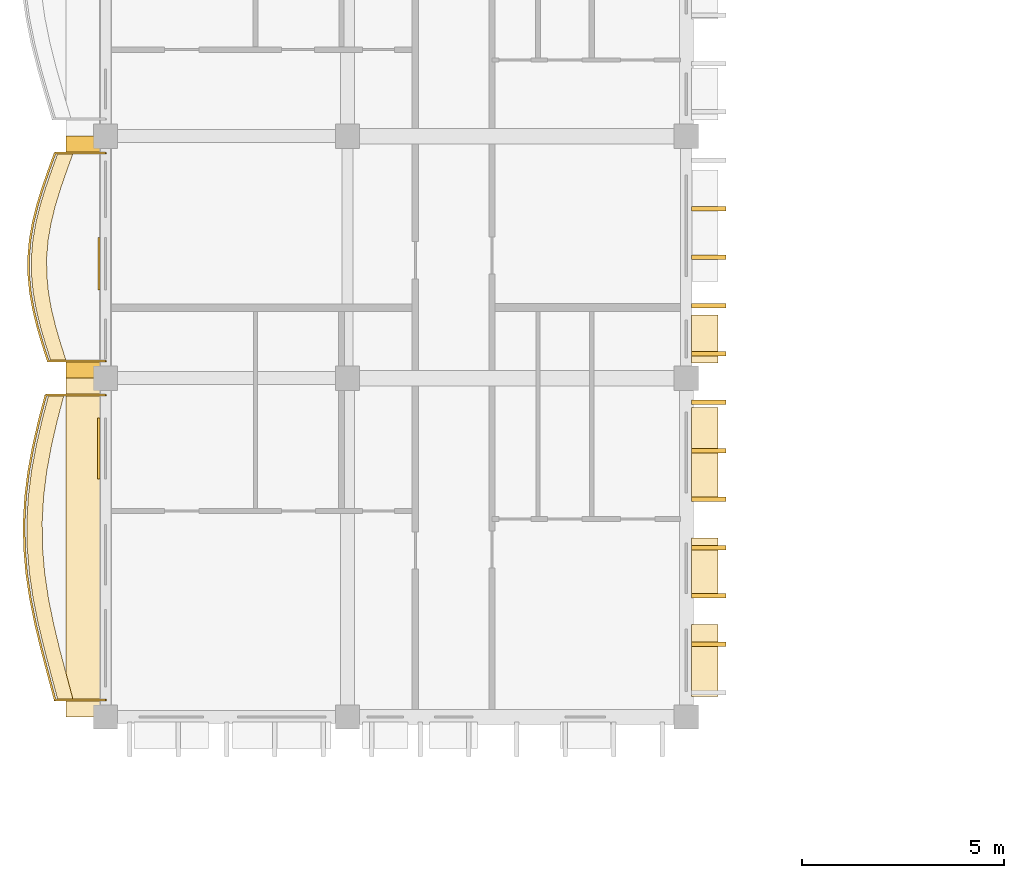
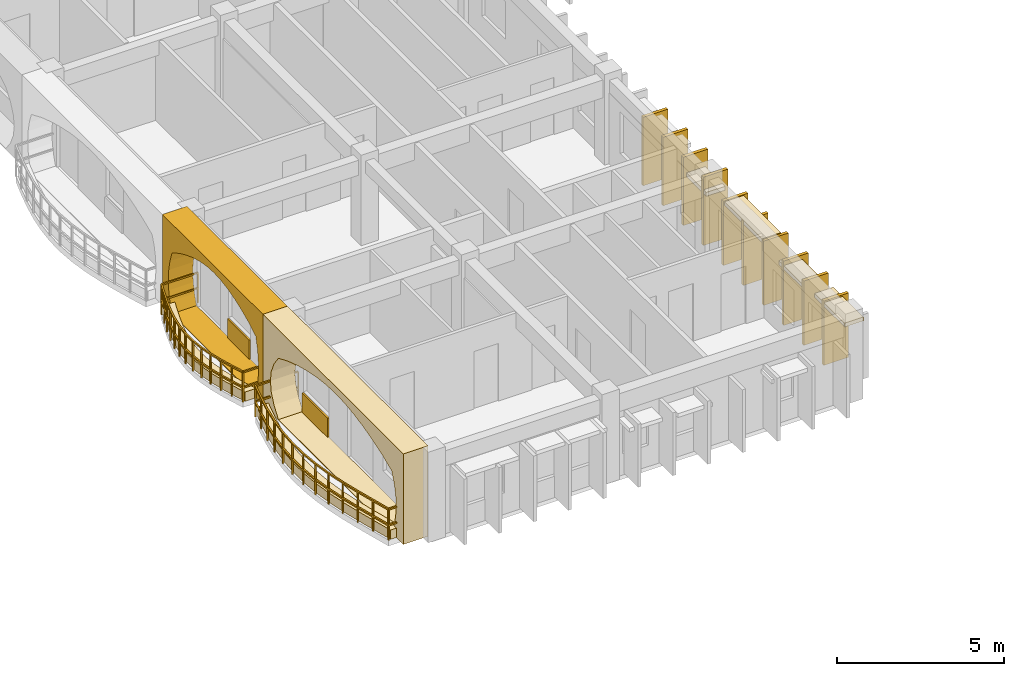
# One storey, part 41 of 59: 20 coverings, 2 railings.
"""IFC4 building model written with IfcOpenShell, lengths in metres."""

from ifc_helpers import new_model, si_unit, direction, frame, origin, origin_2d, place, context, subcontext, project, spatial, polyline, rectangle, outline, extrude, material, layer, layer_set, type_object, element, save


model = new_model("IFC4")

# Units and contexts
model_context = context("Model", 3, precision=1e-05, world=origin(), true_north=direction((0.0, 1.0)))
body_context = subcontext(model_context, "Body", "Model", "MODEL_VIEW")
ifc_project = project(units=[si_unit("LENGTHUNIT", "METRE"), si_unit("AREAUNIT", "SQUARE_METRE"), si_unit("VOLUMEUNIT", "CUBIC_METRE"), si_unit("PLANEANGLEUNIT", "RADIAN"), si_unit("MASSUNIT", "GRAM", prefix="KILO"), si_unit("THERMODYNAMICTEMPERATUREUNIT", "KELVIN")], contexts=[model_context])

# Site, building, storey
site_placement = place(None, origin())
site = spatial("IfcSite", under=ifc_project, at=site_placement, CompositionType="ELEMENT")
building_placement = place(site_placement, origin())
building = spatial("IfcBuilding", under=site, at=building_placement, Name="Thalorik Housing Commons", CompositionType="ELEMENT")
storey_placement = place(building_placement, frame((0.0, 0.0, 27.89990234375)))
storey = spatial("IfcBuildingStorey", under=building, at=storey_placement, Name="L08", CompositionType="ELEMENT", Elevation=27.89990234375)

# Coverings
ifc_material_1 = material(Name="Cobalt blue glazed ceramic facade tile panel", Category="masonry")
ifc_layer_1 = layer(ifc_material_1, 0.06005859375, Name="Cobalt blue glazed ceramic facade tile panel", Category="masonry")
ifc_layer_set_1 = layer_set([ifc_layer_1], Name="Cobalt blue glazed ceramic facade tile panel")
covering_type_1 = type_object("IfcCoveringType", Name="ARC-CLD-BLU-60", PredefinedType="CLADDING", material=ifc_layer_set_1)
covering_1_placement = place(storey_placement, frame((8.235107421875, 93.0576171875, 0.05029296875), z_axis=(0.0, 0.0, 1.0), x_axis=(0.0, -1.0, 0.0)))
element("IfcCovering", 1, at=covering_1_placement, inside=storey, type_object=covering_type_1, Name="L08 De Stijl Recessed Window Spandrel 872", PredefinedType="CLADDING", context=body_context, shape_type="SweptSolid", body=[
    extrude(rectangle(XDim=1.52001953125, YDim=0.06005859375, at=origin_2d()), origin(), (0.0, 0.0, 1.0), 0.699951171875),
])
ifc_material_2 = material(Name="Precast concrete C40/50", Category="concrete")
ifc_layer_2 = layer(ifc_material_2, 0.85009765625, Name="Precast concrete C40/50", Category="concrete")
ifc_layer_set_2 = layer_set([ifc_layer_2], Name="Precast concrete C40/50")
covering_type_2 = type_object("IfcCoveringType", Name="ARC-CLD-CUSH-850", PredefinedType="CLADDING", material=ifc_layer_set_2)
covering_2_placement = place(storey_placement, frame((7.844970703125, 97.800048828125, 0.0), z_axis=(0.0, 0.0, 1.0), x_axis=(0.0, -1.0, 0.0)))
element("IfcCovering", 2, at=covering_2_placement, inside=storey, type_object=covering_type_2, Name="L08 White Precast Curved Cushion Bay Frame 869", PredefinedType="CLADDING", context=body_context, shape_type="SweptSolid", body=[
    extrude(outline(polyline([(-3.0, 0.0), (3.0, 0.0), (3.0, 3.300048828125), (-3.0, 3.300048828125), (-3.0, 0.0)]), holes=[polyline([(2.580078125, 0.02490234375), (2.668701171875, 0.394287109375), (2.721923828125, 0.76318359375), (2.739501953125, 1.132568359375), (2.721923828125, 1.501708984375), (2.668701171875, 1.870849609375), (2.580078125, 2.239990234375), (2.16259765625, 2.4833984375), (1.7451171875, 2.6748046875), (1.327392578125, 2.82958984375), (0.909912109375, 2.94482421875), (0.492431640625, 3.01611328125), (0.074951171875, 3.0400390625), (-0.342529296875, 3.01611328125), (-0.760009765625, 2.94482421875), (-1.177490234375, 2.82958984375), (-1.594970703125, 2.6748046875), (-2.012451171875, 2.4833984375), (-2.429931640625, 2.239990234375), (-2.55029296875, 1.870849609375), (-2.62255859375, 1.501708984375), (-2.646484375, 1.132568359375), (-2.62255859375, 0.76318359375), (-2.55029296875, 0.394287109375), (-2.429931640625, 0.02490234375), (2.580078125, 0.02490234375)])]), frame((0.0, 0.425048828125, 0.0), z_axis=(0.0, -1.0, 0.0), x_axis=(1.0, 0.0, 0.0)), (0.0, 0.0, 1.0), 0.85009765625),
])
covering_3_placement = place(storey_placement, frame((7.844970703125, 90.60009765625, 0.0), z_axis=(0.0, 0.0, 1.0), x_axis=(0.0, -1.0, 0.0)))
element("IfcCovering", 3, at=covering_3_placement, inside=storey, type_object=covering_type_2, Name="L08 White Precast Curved Cushion Bay Frame 871", PredefinedType="CLADDING", context=body_context, shape_type="SweptSolid", body=[
    extrude(outline(polyline([(-4.199951171875, 0.0), (4.199951171875, 0.0), (4.199951171875, 3.300048828125), (-4.199951171875, 3.300048828125), (-4.199951171875, 0.0)]), holes=[polyline([(3.50244140625, 0.02490234375), (3.64990234375, 0.3974609375), (3.738037109375, 0.77001953125), (3.767578125, 1.142578125), (3.738037109375, 1.514892578125), (3.64990234375, 1.887451171875), (3.50244140625, 2.260009765625), (2.938232421875, 2.497314453125), (2.374267578125, 2.683837890625), (1.81005859375, 2.8349609375), (1.245849609375, 2.947265625), (0.681640625, 3.0166015625), (0.117431640625, 3.0400390625), (-0.44677734375, 3.0166015625), (-1.0107421875, 2.947265625), (-1.574951171875, 2.8349609375), (-2.13916015625, 2.683837890625), (-2.703369140625, 2.497314453125), (-3.267578125, 2.260009765625), (-3.53564453125, 1.887451171875), (-3.6962890625, 1.514892578125), (-3.75, 1.142578125), (-3.6962890625, 0.77001953125), (-3.53564453125, 0.3974609375), (-3.267578125, 0.02490234375), (3.50244140625, 0.02490234375)])]), frame((0.0, 0.425048828125, 0.0), z_axis=(0.0, -1.0, 0.0), x_axis=(1.0, 0.0, 0.0)), (0.0, 0.0, 1.0), 0.85009765625),
])
ifc_layer_3 = layer(ifc_material_2, 0.85009765625, Name="Precast concrete C40/50", Category="concrete")
ifc_layer_set_3 = layer_set([ifc_layer_3], Name="Precast concrete C40/50")
covering_type_3 = type_object("IfcCoveringType", Name="ARC-CLD-FIN-850", PredefinedType="CLADDING", material=ifc_layer_set_3)
for number, where, z_axis, x_axis, name in (
    (4, (23.35498046875, 88.199951171875, 0.0400390625), (0.0, 0.0, 1.0), (0.0, 1.0, 0.0), "L08 Courtyard Precast Vertical Brise-Soleil Fin 891"),
    (5, (23.35498046875, 89.39990234375, 0.0400390625), (0.0, 0.0, 1.0), (0.0, 1.0, 0.0), "L08 Courtyard Precast Vertical Brise-Soleil Fin 892"),
    (6, (23.35498046875, 90.60009765625, 0.0400390625), (0.0, 0.0, 1.0), (0.0, 1.0, 0.0), "L08 Courtyard Precast Vertical Brise-Soleil Fin 893"),
    (7, (23.35498046875, 91.800048828125, 0.0400390625), (0.0, 0.0, 1.0), (0.0, 1.0, 0.0), "L08 Courtyard Precast Vertical Brise-Soleil Fin 894"),
    (8, (23.35498046875, 93.0, 0.0400390625), (0.0, 0.0, 1.0), (0.0, 1.0, 0.0), "L08 Courtyard Precast Vertical Brise-Soleil Fin 895"),
    (9, (23.35498046875, 94.199951171875, 0.0400390625), (0.0, 0.0, 1.0), (0.0, 1.0, 0.0), "L08 Courtyard Precast Vertical Brise-Soleil Fin 896"),
):
    element("IfcCovering", number, at=place(storey_placement, frame(where, z_axis=z_axis, x_axis=x_axis)), inside=storey, type_object=covering_type_3, Name=name, PredefinedType="CLADDING", context=body_context, shape_type="SweptSolid", body=[
        extrude(rectangle(XDim=0.110107421875, YDim=0.85009765625, at=origin_2d()), origin(), (0.0, 0.0, 1.0), 2.344970703125),
    ])
for number, where, z_axis, x_axis, name in (
    (10, (23.35498046875, 95.39990234375, 0.0400390625), (0.0, 0.0, 1.0), (0.0, 1.0, 0.0), "L08 Courtyard Precast Vertical Brise-Soleil Fin 900"),
    (11, (23.35498046875, 96.60009765625, 0.0400390625), (0.0, 0.0, 1.0), (0.0, 1.0, 0.0), "L08 Courtyard Precast Vertical Brise-Soleil Fin 901"),
    (12, (23.35498046875, 97.800048828125, 0.0400390625), (0.0, 0.0, 1.0), (0.0, 1.0, 0.0), "L08 Courtyard Precast Vertical Brise-Soleil Fin 902"),
    (13, (23.35498046875, 99.0, 0.0400390625), (0.0, 0.0, 1.0), (0.0, 1.0, 0.0), "L08 Courtyard Precast Vertical Brise-Soleil Fin 903"),
):
    element("IfcCovering", number, at=place(storey_placement, frame(where, z_axis=z_axis, x_axis=x_axis)), inside=storey, type_object=covering_type_3, Name=name, PredefinedType="CLADDING", context=body_context, shape_type="SweptSolid", body=[
        extrude(rectangle(XDim=0.110107421875, YDim=0.85009765625, at=origin_2d()), origin(), (0.0, 0.0, 1.0), 2.4951171875),
    ])
ifc_layer_4 = layer(ifc_material_2, 0.64990234375, Name="Precast concrete C40/50", Category="concrete")
ifc_layer_set_4 = layer_set([ifc_layer_4], Name="Precast concrete C40/50")
covering_type_4 = type_object("IfcCoveringType", Name="ARC-CLD-HOOD-650", PredefinedType="CLADDING", material=ifc_layer_set_4)
covering_4_placement = place(storey_placement, frame((23.2548828125, 87.80322265625, 2.18994140625), z_axis=(0.0, 0.0, 1.0), x_axis=(0.0, 1.0, 0.0)))
element("IfcCovering", 14, at=covering_4_placement, inside=storey, type_object=covering_type_4, Name="L08 Courtyard Precast Window Sun-Hood 897", PredefinedType="CLADDING", context=body_context, shape_type="SweptSolid", body=[
    extrude(rectangle(XDim=1.7900390625, YDim=0.64990234375, at=origin_2d()), origin(), (0.0, 0.0, 1.0), 0.139892578125),
])
covering_5_placement = place(storey_placement, frame((23.2548828125, 90.08984375, 2.09033203125), z_axis=(0.0, 0.0, 1.0), x_axis=(0.0, 1.0, 0.0)))
element("IfcCovering", 15, at=covering_5_placement, inside=storey, type_object=covering_type_4, Name="L08 Courtyard Precast Window Sun-Hood 898", PredefinedType="CLADDING", context=body_context, shape_type="SweptSolid", body=[
    extrude(rectangle(XDim=1.489990234375, YDim=0.64990234375, at=origin_2d()), origin(), (0.0, 0.0, 1.0), 0.139892578125),
])
covering_6_placement = place(storey_placement, frame((23.2548828125, 92.95654296875, 2.275390625), z_axis=(0.0, 0.0, 1.0), x_axis=(0.0, 1.0, 0.0)))
element("IfcCovering", 16, at=covering_6_placement, inside=storey, type_object=covering_type_4, Name="L08 Courtyard Precast Window Sun-Hood 899", PredefinedType="CLADDING", context=body_context, shape_type="SweptSolid", body=[
    extrude(rectangle(XDim=2.239990234375, YDim=0.64990234375, at=origin_2d()), origin(), (0.0, 0.0, 1.0), 0.139892578125),
])
covering_7_placement = place(storey_placement, frame((23.2548828125, 95.77001953125, 1.93994140625), z_axis=(0.0, 0.0, 1.0), x_axis=(0.0, 1.0, 0.0)))
element("IfcCovering", 17, at=covering_7_placement, inside=storey, type_object=covering_type_4, Name="L08 Courtyard Precast Window Sun-Hood 905", PredefinedType="CLADDING", context=body_context, shape_type="SweptSolid", body=[
    extrude(rectangle(XDim=1.18994140625, YDim=0.64990234375, at=origin_2d()), origin(), (0.0, 0.0, 1.0), 0.139892578125),
])
ifc_material_3 = material(Name="Terracotta red mineral fibre-cement panel", Category="masonry")
ifc_layer_5 = layer(ifc_material_3, 0.054931640625, Name="Terracotta red mineral fibre-cement panel", Category="masonry")
ifc_layer_set_5 = layer_set([ifc_layer_5], Name="Terracotta red mineral fibre-cement panel")
covering_type_5 = type_object("IfcCoveringType", Name="ARC-CLD-RED-55", PredefinedType="CLADDING", material=ifc_layer_set_5)
covering_8_placement = place(storey_placement, frame((8.237548828125, 97.639892578125, 0.05029296875), z_axis=(0.0, 0.0, 1.0), x_axis=(0.0, -1.0, 0.0)))
element("IfcCovering", 18, at=covering_8_placement, inside=storey, type_object=covering_type_5, Name="L08 De Stijl Recessed Window Spandrel 870", PredefinedType="CLADDING", context=body_context, shape_type="SweptSolid", body=[
    extrude(rectangle(XDim=1.300048828125, YDim=0.054931640625, at=origin_2d()), origin(), (0.0, 0.0, 1.0), 0.699951171875),
])
ifc_material_4 = material(Name="Planted vegetated substrate and terracotta trough", Category="masonry")
ifc_layer_6 = layer(ifc_material_4, 0.340087890625, Name="Planted vegetated substrate and terracotta trough", Category="masonry")
ifc_layer_set_6 = layer_set([ifc_layer_6], Name="Planted vegetated substrate and terracotta trough")
covering_type_6 = type_object("IfcCoveringType", Name="ARC-COV-PLANTER", PredefinedType="USERDEFINED", material=ifc_layer_set_6)
covering_9_placement = place(storey_placement, origin())
element("IfcCovering", 19, at=covering_9_placement, inside=storey, type_object=covering_type_6, Name="L08 Balcony Slab-Edge Planted Trough 5375", ObjectType="PLANTER", PredefinedType="USERDEFINED", context=body_context, shape_type="SweptSolid", body=[
    extrude(outline(polyline([(6.98876953125, 94.3798828125), (6.823974609375, 93.75), (6.6787109375, 93.1201171875), (6.56298828125, 92.489990234375), (6.484619140625, 91.860107421875), (6.448974609375, 91.22998046875), (6.458251953125, 90.60009765625), (6.511474609375, 89.969970703125), (6.604736328125, 89.340087890625), (6.731689453125, 88.7099609375), (6.88330078125, 88.080078125), (7.04931640625, 87.449951171875), (7.218017578125, 86.820068359375), (7.597900390625, 86.820068359375), (7.42919921875, 87.449951171875), (7.263427734375, 88.080078125), (7.11181640625, 88.7099609375), (6.98486328125, 89.340087890625), (6.891357421875, 89.969970703125), (6.838134765625, 90.60009765625), (6.8291015625, 91.22998046875), (6.86474609375, 91.860107421875), (6.94287109375, 92.489990234375), (7.05859375, 93.1201171875), (7.203857421875, 93.75), (7.368896484375, 94.3798828125), (6.98876953125, 94.3798828125)])), origin(), (0.0, 0.0, 1.0), 0.340087890625),
])
covering_10_placement = place(storey_placement, origin())
element("IfcCovering", 20, at=covering_10_placement, inside=storey, type_object=covering_type_6, Name="L08 Balcony Slab-Edge Planted Trough 5376", ObjectType="PLANTER", PredefinedType="USERDEFINED", context=body_context, shape_type="SweptSolid", body=[
    extrude(outline(polyline([(7.21728515625, 100.3798828125), (7.0615234375, 99.949951171875), (6.912353515625, 99.52001953125), (6.77978515625, 99.090087890625), (6.673095703125, 98.659912109375), (6.5986328125, 98.22998046875), (6.561279296875, 97.800048828125), (6.5634765625, 97.3701171875), (6.603759765625, 96.93994140625), (6.67919921875, 96.510009765625), (6.78369140625, 96.080078125), (6.9091796875, 95.64990234375), (7.047119140625, 95.219970703125), (7.427001953125, 95.219970703125), (7.289306640625, 95.64990234375), (7.16357421875, 96.080078125), (7.05908203125, 96.510009765625), (6.98388671875, 96.93994140625), (6.943359375, 97.3701171875), (6.94140625, 97.800048828125), (6.978515625, 98.22998046875), (7.052978515625, 98.659912109375), (7.159912109375, 99.090087890625), (7.29248046875, 99.52001953125), (7.441650390625, 99.949951171875), (7.597412109375, 100.3798828125), (7.21728515625, 100.3798828125)])), origin(), (0.0, 0.0, 1.0), 0.340087890625),
])

# Railings
ifc_material_5 = material(Name="Steel S355", Category="steel")
railing_type_1 = type_object("IfcRailingType", Name="ARC-RL-BAL-112", PredefinedType="BALUSTRADE", material=ifc_material_5)
railing_1_placement = place(storey_placement, frame((8.39990234375, 100.3798828125, 0.0)))
element("IfcRailing", 21, at=railing_1_placement, inside=storey, type_object=railing_type_1, Name="L08 Cushion Balcony Guardrail 60", PredefinedType="BALUSTRADE", context=body_context, shape_type="SweptSolid", body=[
    extrude(rectangle(XDim=0.050048828125, YDim=0.050048828125, at=origin_2d()), frame((0.0, 0.0, 1.09521484375), z_axis=(-1.0, 0.0, 0.0), x_axis=(0.0, -1.0, 0.0)), (0.0, 0.0, 1.0), 1.25244140625),
    extrude(rectangle(XDim=0.050048828125, YDim=0.050048828125, at=origin_2d()), frame((0.0, 0.0, 0.53515625), z_axis=(-1.0, 0.0, 0.0), x_axis=(0.0, -1.0, 0.0)), (0.0, 0.0, 1.0), 1.25244140625),
    extrude(rectangle(XDim=0.050048828125, YDim=0.050048828125, at=origin_2d()), frame((-1.25244140625, 0.0, 1.09521484375), z_axis=(-0.3406282576, -0.940198058988, 0.0), x_axis=(0.940198058988, -0.3406282576, 0.0)), (0.0, 0.0, 1.0), 0.457275390625),
    extrude(rectangle(XDim=0.050048828125, YDim=0.050048828125, at=origin_2d()), frame((-1.25244140625, 0.0, 0.53515625), z_axis=(-0.3406282576, -0.940198058988, 0.0), x_axis=(0.940198058988, -0.3406282576, 0.0)), (0.0, 0.0, 1.0), 0.457275390625),
    extrude(rectangle(XDim=0.050048828125, YDim=0.050048828125, at=origin_2d()), frame((-1.408203125, -0.429931640625, 1.09521484375), z_axis=(-0.328270961244, -0.944583599267, 0.0), x_axis=(0.944583599267, -0.328270961244, 0.0)), (0.0, 0.0, 1.0), 0.455078125),
    extrude(rectangle(XDim=0.050048828125, YDim=0.050048828125, at=origin_2d()), frame((-1.408203125, -0.429931640625, 0.53515625), z_axis=(-0.328270961244, -0.944583599267, 0.0), x_axis=(0.944583599267, -0.328270961244, 0.0)), (0.0, 0.0, 1.0), 0.455078125),
    extrude(rectangle(XDim=0.050048828125, YDim=0.050048828125, at=origin_2d()), frame((-1.5576171875, -0.85986328125, 1.09521484375), z_axis=(-0.294162124108, -0.955755536076, 0.0), x_axis=(0.955755536076, -0.294162124108, 0.0)), (0.0, 0.0, 1.0), 0.449951171875),
    extrude(rectangle(XDim=0.050048828125, YDim=0.050048828125, at=origin_2d()), frame((-1.5576171875, -0.85986328125, 0.53515625), z_axis=(-0.294162124108, -0.955755536076, 0.0), x_axis=(0.955755536076, -0.294162124108, 0.0)), (0.0, 0.0, 1.0), 0.449951171875),
    extrude(rectangle(XDim=0.050048828125, YDim=0.050048828125, at=origin_2d()), frame((-1.68994140625, -1.289794921875, 1.09521484375), z_axis=(-0.241239467372, -0.970465619887, 0.0), x_axis=(0.970465619887, -0.241239467372, 0.0)), (0.0, 0.0, 1.0), 0.443359375),
    extrude(rectangle(XDim=0.050048828125, YDim=0.050048828125, at=origin_2d()), frame((-1.68994140625, -1.289794921875, 0.53515625), z_axis=(-0.241239467372, -0.970465619887, 0.0), x_axis=(0.970465619887, -0.241239467372, 0.0)), (0.0, 0.0, 1.0), 0.443359375),
    extrude(rectangle(XDim=0.050048828125, YDim=0.050048828125, at=origin_2d()), frame((-1.796875, -1.719970703125, 1.09521484375), z_axis=(-0.170656351972, -0.985330609253, 0.0), x_axis=(0.985330609253, -0.170656351972, 0.0)), (0.0, 0.0, 1.0), 0.436279296875),
    extrude(rectangle(XDim=0.050048828125, YDim=0.050048828125, at=origin_2d()), frame((-1.796875, -1.719970703125, 0.53515625), z_axis=(-0.170656351972, -0.985330609253, 0.0), x_axis=(0.985330609253, -0.170656351972, 0.0)), (0.0, 0.0, 1.0), 0.436279296875),
    extrude(rectangle(XDim=0.050048828125, YDim=0.050048828125, at=origin_2d()), frame((-1.871337890625, -2.14990234375, 1.09521484375), z_axis=(-0.085994848615, -0.996295581648, 0.0), x_axis=(0.996295581648, -0.085994848615, 0.0)), (0.0, 0.0, 1.0), 0.431640625),
    extrude(rectangle(XDim=0.050048828125, YDim=0.050048828125, at=origin_2d()), frame((-1.871337890625, -2.14990234375, 0.53515625), z_axis=(-0.085994848615, -0.996295581648, 0.0), x_axis=(0.996295581648, -0.085994848615, 0.0)), (0.0, 0.0, 1.0), 0.431640625),
    extrude(rectangle(XDim=0.050048828125, YDim=0.050048828125, at=origin_2d()), frame((-1.908447265625, -2.579833984375, 1.09521484375), z_axis=(0.004542826491, -0.99998968131, 0.0), x_axis=(0.99998968131, 0.004542826491, 0.0)), (0.0, 0.0, 1.0), 0.429931640625),
    extrude(rectangle(XDim=0.050048828125, YDim=0.050048828125, at=origin_2d()), frame((-1.908447265625, -2.579833984375, 0.53515625), z_axis=(0.004542826491, -0.99998968131, 0.0), x_axis=(0.99998968131, 0.004542826491, 0.0)), (0.0, 0.0, 1.0), 0.429931640625),
    extrude(rectangle(XDim=0.050048828125, YDim=0.050048828125, at=origin_2d()), frame((-1.906494140625, -3.009765625, 1.09521484375), z_axis=(0.09323568162, -0.995644066759, 0.0), x_axis=(0.995644066759, 0.09323568162, 0.0)), (0.0, 0.0, 1.0), 0.43212890625),
    extrude(rectangle(XDim=0.050048828125, YDim=0.050048828125, at=origin_2d()), frame((-1.906494140625, -3.009765625, 0.53515625), z_axis=(0.09323568162, -0.995644066759, 0.0), x_axis=(0.995644066759, 0.09323568162, 0.0)), (0.0, 0.0, 1.0), 0.43212890625),
    extrude(rectangle(XDim=0.050048828125, YDim=0.050048828125, at=origin_2d()), frame((-1.8662109375, -3.43994140625, 1.09521484375), z_axis=(0.17282803652, -0.984952013954, 0.0), x_axis=(0.984952013954, 0.17282803652, 0.0)), (0.0, 0.0, 1.0), 0.4365234375),
    extrude(rectangle(XDim=0.050048828125, YDim=0.050048828125, at=origin_2d()), frame((-1.8662109375, -3.43994140625, 0.53515625), z_axis=(0.17282803652, -0.984952013954, 0.0), x_axis=(0.984952013954, 0.17282803652, 0.0)), (0.0, 0.0, 1.0), 0.4365234375),
    extrude(rectangle(XDim=0.050048828125, YDim=0.050048828125, at=origin_2d()), frame((-1.790771484375, -3.869873046875, 1.09521484375), z_axis=(0.236168531023, -0.97171211012, 0.0), x_axis=(0.97171211012, 0.236168531023, 0.0)), (0.0, 0.0, 1.0), 0.4423828125),
    extrude(rectangle(XDim=0.050048828125, YDim=0.050048828125, at=origin_2d()), frame((-1.790771484375, -3.869873046875, 0.53515625), z_axis=(0.236168531023, -0.97171211012, 0.0), x_axis=(0.97171211012, 0.236168531023, 0.0)), (0.0, 0.0, 1.0), 0.4423828125),
    extrude(rectangle(XDim=0.050048828125, YDim=0.050048828125, at=origin_2d()), frame((-1.686279296875, -4.2998046875, 1.09521484375), z_axis=(0.280543828771, -0.959841216107, 0.0), x_axis=(0.959841216107, 0.280543828771, 0.0)), (0.0, 0.0, 1.0), 0.4482421875),
    extrude(rectangle(XDim=0.050048828125, YDim=0.050048828125, at=origin_2d()), frame((-1.686279296875, -4.2998046875, 0.53515625), z_axis=(0.280543828771, -0.959841216107, 0.0), x_axis=(0.959841216107, 0.280543828771, 0.0)), (0.0, 0.0, 1.0), 0.4482421875),
    extrude(rectangle(XDim=0.050048828125, YDim=0.050048828125, at=origin_2d()), frame((-1.560546875, -4.72998046875, 1.09521484375), z_axis=(0.305011189479, -0.95234876715, 0.0), x_axis=(0.95234876715, 0.305011189479, 0.0)), (0.0, 0.0, 1.0), 0.451416015625),
    extrude(rectangle(XDim=0.050048828125, YDim=0.050048828125, at=origin_2d()), frame((-1.560546875, -4.72998046875, 0.53515625), z_axis=(0.305011189479, -0.95234876715, 0.0), x_axis=(0.95234876715, 0.305011189479, 0.0)), (0.0, 0.0, 1.0), 0.451416015625),
    extrude(rectangle(XDim=0.050048828125, YDim=0.050048828125, at=origin_2d()), frame((-1.4228515625, -5.159912109375, 1.09521484375), z_axis=(1.0, 0.0, 0.0), x_axis=(0.0, 1.0, 0.0)), (0.0, 0.0, 1.0), 1.4228515625),
    extrude(rectangle(XDim=0.050048828125, YDim=0.050048828125, at=origin_2d()), frame((-1.4228515625, -5.159912109375, 0.53515625), z_axis=(1.0, 0.0, 0.0), x_axis=(0.0, 1.0, 0.0)), (0.0, 0.0, 1.0), 1.4228515625),
    extrude(rectangle(XDim=0.0419921875, YDim=0.0419921875, at=origin_2d()), origin(), (0.0, 0.0, 1.0), 1.070068359375),
    extrude(rectangle(XDim=0.0419921875, YDim=0.0419921875, at=origin_2d()), frame((-1.25244140625, 0.0, 0.0)), (0.0, 0.0, 1.0), 1.070068359375),
    extrude(rectangle(XDim=0.0419921875, YDim=0.0419921875, at=origin_2d()), frame((-1.408203125, -0.429931640625, 0.0)), (0.0, 0.0, 1.0), 1.070068359375),
    extrude(rectangle(XDim=0.0419921875, YDim=0.0419921875, at=origin_2d()), frame((-1.5576171875, -0.85986328125, 0.0)), (0.0, 0.0, 1.0), 1.070068359375),
    extrude(rectangle(XDim=0.0419921875, YDim=0.0419921875, at=origin_2d()), frame((-1.68994140625, -1.289794921875, 0.0)), (0.0, 0.0, 1.0), 1.070068359375),
    extrude(rectangle(XDim=0.0419921875, YDim=0.0419921875, at=origin_2d()), frame((-1.796875, -1.719970703125, 0.0)), (0.0, 0.0, 1.0), 1.070068359375),
    extrude(rectangle(XDim=0.0419921875, YDim=0.0419921875, at=origin_2d()), frame((-1.871337890625, -2.14990234375, 0.0)), (0.0, 0.0, 1.0), 1.070068359375),
    extrude(rectangle(XDim=0.0419921875, YDim=0.0419921875, at=origin_2d()), frame((-1.908447265625, -2.579833984375, 0.0)), (0.0, 0.0, 1.0), 1.070068359375),
    extrude(rectangle(XDim=0.0419921875, YDim=0.0419921875, at=origin_2d()), frame((-1.906494140625, -3.009765625, 0.0)), (0.0, 0.0, 1.0), 1.070068359375),
    extrude(rectangle(XDim=0.0419921875, YDim=0.0419921875, at=origin_2d()), frame((-1.8662109375, -3.43994140625, 0.0)), (0.0, 0.0, 1.0), 1.070068359375),
    extrude(rectangle(XDim=0.0419921875, YDim=0.0419921875, at=origin_2d()), frame((-1.790771484375, -3.869873046875, 0.0)), (0.0, 0.0, 1.0), 1.070068359375),
    extrude(rectangle(XDim=0.0419921875, YDim=0.0419921875, at=origin_2d()), frame((-1.686279296875, -4.2998046875, 0.0)), (0.0, 0.0, 1.0), 1.070068359375),
    extrude(rectangle(XDim=0.0419921875, YDim=0.0419921875, at=origin_2d()), frame((-1.560546875, -4.72998046875, 0.0)), (0.0, 0.0, 1.0), 1.070068359375),
    extrude(rectangle(XDim=0.0419921875, YDim=0.0419921875, at=origin_2d()), frame((-1.4228515625, -5.159912109375, 0.0)), (0.0, 0.0, 1.0), 1.070068359375),
    extrude(rectangle(XDim=0.0419921875, YDim=0.0419921875, at=origin_2d()), frame((0.0, -5.159912109375, 0.0)), (0.0, 0.0, 1.0), 1.070068359375),
])
railing_type_2 = type_object("IfcRailingType", Name="ARC-RL-BAL-115", PredefinedType="BALUSTRADE", material=ifc_material_5)
railing_2_placement = place(storey_placement, frame((8.39990234375, 94.3798828125, 0.0)))
element("IfcRailing", 22, at=railing_2_placement, inside=storey, type_object=railing_type_2, Name="L08 Cushion Balcony Guardrail 59", PredefinedType="BALUSTRADE", context=body_context, shape_type="SweptSolid", body=[
    extrude(rectangle(XDim=0.050048828125, YDim=0.050048828125, at=origin_2d()), frame((0.0, 0.0, 1.125), z_axis=(-1.0, 0.0, 0.0), x_axis=(0.0, -1.0, 0.0)), (0.0, 0.0, 1.0), 1.481201171875),
    extrude(rectangle(XDim=0.050048828125, YDim=0.050048828125, at=origin_2d()), frame((0.0, 0.0, 0.5498046875), z_axis=(-1.0, 0.0, 0.0), x_axis=(0.0, -1.0, 0.0)), (0.0, 0.0, 1.0), 1.481201171875),
    extrude(rectangle(XDim=0.050048828125, YDim=0.050048828125, at=origin_2d()), frame((-1.481201171875, 0.0, 1.125), z_axis=(-0.253108736309, -0.967437836558, 0.0), x_axis=(0.967437836558, -0.253108736309, 0.0)), (0.0, 0.0, 1.0), 0.651123046875),
    extrude(rectangle(XDim=0.050048828125, YDim=0.050048828125, at=origin_2d()), frame((-1.481201171875, 0.0, 0.5498046875), z_axis=(-0.253108736309, -0.967437836558, 0.0), x_axis=(0.967437836558, -0.253108736309, 0.0)), (0.0, 0.0, 1.0), 0.651123046875),
    extrude(rectangle(XDim=0.050048828125, YDim=0.050048828125, at=origin_2d()), frame((-1.64599609375, -0.6298828125, 1.125), z_axis=(-0.224721586373, -0.974423013182, 0.0), x_axis=(0.974423013182, -0.224721586373, 0.0)), (0.0, 0.0, 1.0), 0.646484375),
    extrude(rectangle(XDim=0.050048828125, YDim=0.050048828125, at=origin_2d()), frame((-1.64599609375, -0.6298828125, 0.5498046875), z_axis=(-0.224721586373, -0.974423013182, 0.0), x_axis=(0.974423013182, -0.224721586373, 0.0)), (0.0, 0.0, 1.0), 0.646484375),
    extrude(rectangle(XDim=0.050048828125, YDim=0.050048828125, at=origin_2d()), frame((-1.791259765625, -1.259765625, 1.125), z_axis=(-0.180628950644, -0.983551311417, 0.0), x_axis=(0.983551311417, -0.180628950644, 0.0)), (0.0, 0.0, 1.0), 0.640625),
    extrude(rectangle(XDim=0.050048828125, YDim=0.050048828125, at=origin_2d()), frame((-1.791259765625, -1.259765625, 0.5498046875), z_axis=(-0.180628950644, -0.983551311417, 0.0), x_axis=(0.983551311417, -0.180628950644, 0.0)), (0.0, 0.0, 1.0), 0.640625),
    extrude(rectangle(XDim=0.050048828125, YDim=0.050048828125, at=origin_2d()), frame((-1.906982421875, -1.889892578125, 1.125), z_axis=(-0.123087848519, -0.992395778683, 0.0), x_axis=(0.992395778683, -0.123087848519, 0.0)), (0.0, 0.0, 1.0), 0.634765625),
    extrude(rectangle(XDim=0.050048828125, YDim=0.050048828125, at=origin_2d()), frame((-1.906982421875, -1.889892578125, 0.5498046875), z_axis=(-0.123087848519, -0.992395778683, 0.0), x_axis=(0.992395778683, -0.123087848519, 0.0)), (0.0, 0.0, 1.0), 0.634765625),
    extrude(rectangle(XDim=0.050048828125, YDim=0.050048828125, at=origin_2d()), frame((-1.985107421875, -2.519775390625, 1.125), z_axis=(-0.056862517112, -0.998382018141, 0.0), x_axis=(0.998382018141, -0.056862517112, 0.0)), (0.0, 0.0, 1.0), 0.631103515625),
    extrude(rectangle(XDim=0.050048828125, YDim=0.050048828125, at=origin_2d()), frame((-1.985107421875, -2.519775390625, 0.5498046875), z_axis=(-0.056862517112, -0.998382018141, 0.0), x_axis=(0.998382018141, -0.056862517112, 0.0)), (0.0, 0.0, 1.0), 0.631103515625),
    extrude(rectangle(XDim=0.050048828125, YDim=0.050048828125, at=origin_2d()), frame((-2.02099609375, -3.14990234375, 1.125), z_axis=(0.014727084854, -0.999891550605, 0.0), x_axis=(0.999891550605, 0.014727084854, 0.0)), (0.0, 0.0, 1.0), 0.6298828125),
    extrude(rectangle(XDim=0.050048828125, YDim=0.050048828125, at=origin_2d()), frame((-2.02099609375, -3.14990234375, 0.5498046875), z_axis=(0.014727084854, -0.999891550605, 0.0), x_axis=(0.999891550605, 0.014727084854, 0.0)), (0.0, 0.0, 1.0), 0.6298828125),
    extrude(rectangle(XDim=0.050048828125, YDim=0.050048828125, at=origin_2d()), frame((-2.01171875, -3.77978515625, 1.125), z_axis=(0.084163705207, -0.996451941002, 0.0), x_axis=(0.996451941002, 0.084163705207, 0.0)), (0.0, 0.0, 1.0), 0.63232421875),
    extrude(rectangle(XDim=0.050048828125, YDim=0.050048828125, at=origin_2d()), frame((-2.01171875, -3.77978515625, 0.5498046875), z_axis=(0.084163705207, -0.996451941002, 0.0), x_axis=(0.996451941002, 0.084163705207, 0.0)), (0.0, 0.0, 1.0), 0.63232421875),
    extrude(rectangle(XDim=0.050048828125, YDim=0.050048828125, at=origin_2d()), frame((-1.95849609375, -4.409912109375, 1.125), z_axis=(0.146840446935, -0.989160190841, 0.0), x_axis=(0.989160190841, 0.146840446935, 0.0)), (0.0, 0.0, 1.0), 0.63671875),
    extrude(rectangle(XDim=0.050048828125, YDim=0.050048828125, at=origin_2d()), frame((-1.95849609375, -4.409912109375, 0.5498046875), z_axis=(0.146840446935, -0.989160190841, 0.0), x_axis=(0.989160190841, 0.146840446935, 0.0)), (0.0, 0.0, 1.0), 0.63671875),
    extrude(rectangle(XDim=0.050048828125, YDim=0.050048828125, at=origin_2d()), frame((-1.864990234375, -5.039794921875, 1.125), z_axis=(0.197503723771, -0.980302136638, 0.0), x_axis=(0.980302136638, 0.197503723771, 0.0)), (0.0, 0.0, 1.0), 0.642822265625),
    extrude(rectangle(XDim=0.050048828125, YDim=0.050048828125, at=origin_2d()), frame((-1.864990234375, -5.039794921875, 0.5498046875), z_axis=(0.197503723771, -0.980302136638, 0.0), x_axis=(0.980302136638, 0.197503723771, 0.0)), (0.0, 0.0, 1.0), 0.642822265625),
    extrude(rectangle(XDim=0.050048828125, YDim=0.050048828125, at=origin_2d()), frame((-1.738037109375, -5.669921875, 1.125), z_axis=(0.234014261591, -0.972233164098, 0.0), x_axis=(0.972233164098, 0.234014261591, 0.0)), (0.0, 0.0, 1.0), 0.64794921875),
    extrude(rectangle(XDim=0.050048828125, YDim=0.050048828125, at=origin_2d()), frame((-1.738037109375, -5.669921875, 0.5498046875), z_axis=(0.234014261591, -0.972233164098, 0.0), x_axis=(0.972233164098, 0.234014261591, 0.0)), (0.0, 0.0, 1.0), 0.64794921875),
    extrude(rectangle(XDim=0.050048828125, YDim=0.050048828125, at=origin_2d()), frame((-1.58642578125, -6.2998046875, 1.125), z_axis=(0.254419523925, -0.967093948821, 0.0), x_axis=(0.967093948821, 0.254419523925, 0.0)), (0.0, 0.0, 1.0), 0.651611328125),
    extrude(rectangle(XDim=0.050048828125, YDim=0.050048828125, at=origin_2d()), frame((-1.58642578125, -6.2998046875, 0.5498046875), z_axis=(0.254419523925, -0.967093948821, 0.0), x_axis=(0.967093948821, 0.254419523925, 0.0)), (0.0, 0.0, 1.0), 0.651611328125),
    extrude(rectangle(XDim=0.050048828125, YDim=0.050048828125, at=origin_2d()), frame((-1.420654296875, -6.929931640625, 1.125), z_axis=(0.258711132493, -0.965954734925, 0.0), x_axis=(0.965954734925, 0.258711132493, 0.0)), (0.0, 0.0, 1.0), 0.652099609375),
    extrude(rectangle(XDim=0.050048828125, YDim=0.050048828125, at=origin_2d()), frame((-1.420654296875, -6.929931640625, 0.5498046875), z_axis=(0.258711132493, -0.965954734925, 0.0), x_axis=(0.965954734925, 0.258711132493, 0.0)), (0.0, 0.0, 1.0), 0.652099609375),
    extrude(rectangle(XDim=0.050048828125, YDim=0.050048828125, at=origin_2d()), frame((-1.251953125, -7.559814453125, 1.125), z_axis=(1.0, 0.0, 0.0), x_axis=(0.0, 1.0, 0.0)), (0.0, 0.0, 1.0), 1.251953125),
    extrude(rectangle(XDim=0.050048828125, YDim=0.050048828125, at=origin_2d()), frame((-1.251953125, -7.559814453125, 0.5498046875), z_axis=(1.0, 0.0, 0.0), x_axis=(0.0, 1.0, 0.0)), (0.0, 0.0, 1.0), 1.251953125),
    extrude(rectangle(XDim=0.0419921875, YDim=0.0419921875, at=origin_2d()), origin(), (0.0, 0.0, 1.0), 1.099853515625),
    extrude(rectangle(XDim=0.0419921875, YDim=0.0419921875, at=origin_2d()), frame((-1.481201171875, 0.0, 0.0)), (0.0, 0.0, 1.0), 1.099853515625),
    extrude(rectangle(XDim=0.0419921875, YDim=0.0419921875, at=origin_2d()), frame((-1.64599609375, -0.6298828125, 0.0)), (0.0, 0.0, 1.0), 1.099853515625),
    extrude(rectangle(XDim=0.0419921875, YDim=0.0419921875, at=origin_2d()), frame((-1.791259765625, -1.259765625, 0.0)), (0.0, 0.0, 1.0), 1.099853515625),
    extrude(rectangle(XDim=0.0419921875, YDim=0.0419921875, at=origin_2d()), frame((-1.906982421875, -1.889892578125, 0.0)), (0.0, 0.0, 1.0), 1.099853515625),
    extrude(rectangle(XDim=0.0419921875, YDim=0.0419921875, at=origin_2d()), frame((-1.985107421875, -2.519775390625, 0.0)), (0.0, 0.0, 1.0), 1.099853515625),
    extrude(rectangle(XDim=0.0419921875, YDim=0.0419921875, at=origin_2d()), frame((-2.02099609375, -3.14990234375, 0.0)), (0.0, 0.0, 1.0), 1.099853515625),
    extrude(rectangle(XDim=0.0419921875, YDim=0.0419921875, at=origin_2d()), frame((-2.01171875, -3.77978515625, 0.0)), (0.0, 0.0, 1.0), 1.099853515625),
    extrude(rectangle(XDim=0.0419921875, YDim=0.0419921875, at=origin_2d()), frame((-1.95849609375, -4.409912109375, 0.0)), (0.0, 0.0, 1.0), 1.099853515625),
    extrude(rectangle(XDim=0.0419921875, YDim=0.0419921875, at=origin_2d()), frame((-1.864990234375, -5.039794921875, 0.0)), (0.0, 0.0, 1.0), 1.099853515625),
    extrude(rectangle(XDim=0.0419921875, YDim=0.0419921875, at=origin_2d()), frame((-1.738037109375, -5.669921875, 0.0)), (0.0, 0.0, 1.0), 1.099853515625),
    extrude(rectangle(XDim=0.0419921875, YDim=0.0419921875, at=origin_2d()), frame((-1.58642578125, -6.2998046875, 0.0)), (0.0, 0.0, 1.0), 1.099853515625),
    extrude(rectangle(XDim=0.0419921875, YDim=0.0419921875, at=origin_2d()), frame((-1.420654296875, -6.929931640625, 0.0)), (0.0, 0.0, 1.0), 1.099853515625),
    extrude(rectangle(XDim=0.0419921875, YDim=0.0419921875, at=origin_2d()), frame((-1.251953125, -7.559814453125, 0.0)), (0.0, 0.0, 1.0), 1.099853515625),
    extrude(rectangle(XDim=0.0419921875, YDim=0.0419921875, at=origin_2d()), frame((0.0, -7.559814453125, 0.0)), (0.0, 0.0, 1.0), 1.099853515625),
])

save(model, "model.ifc")
